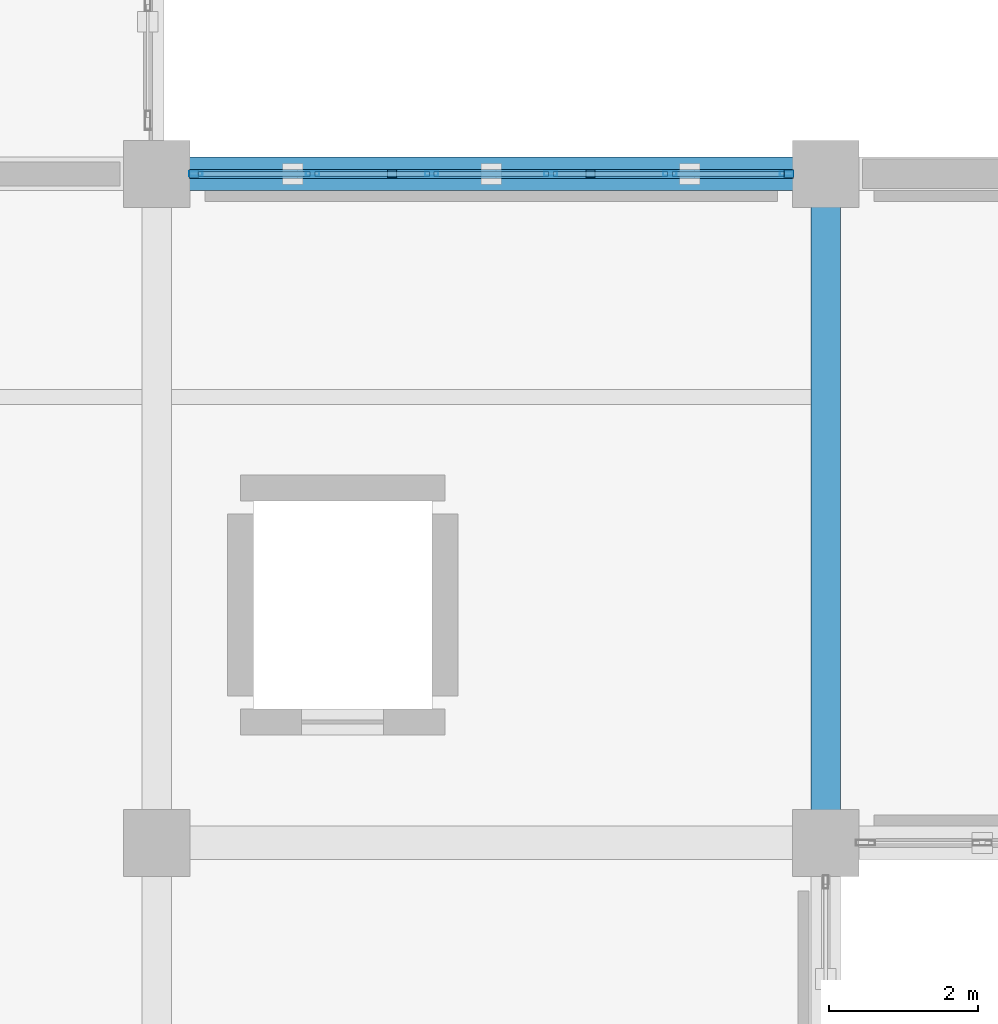
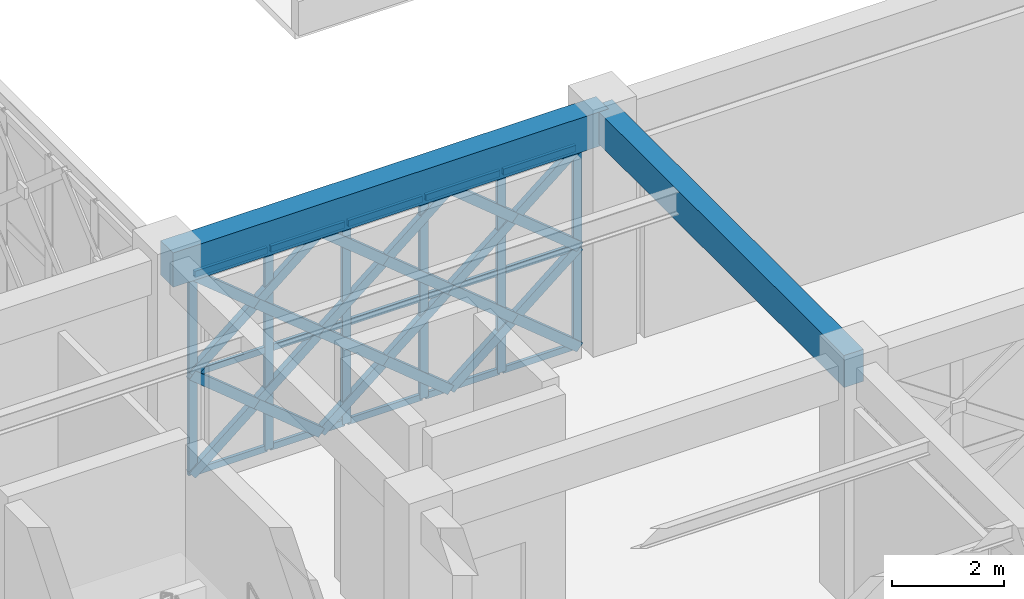
# One storey, part 103 of 166: 39 members, 2 beams, 1 element without a shape of its own.
"""IFC4 building model written with IfcOpenShell, lengths in metres."""

from ifc_helpers import new_model, si_unit, direction, frame, origin, origin_2d, place, context, subcontext, project, spatial, rectangle, hollow_rectangle, extrude, material, material_profile, profile_set, type_object, element, aggregate, save


model = new_model("IFC4")

# Units and contexts
model_context = context("Model", 3, precision=1e-05, world=origin(), true_north=direction((0.0, 1.0)))
body_context = subcontext(model_context, "Body", "Model", "MODEL_VIEW")
ifc_project = project(units=[si_unit("LENGTHUNIT", "METRE"), si_unit("AREAUNIT", "SQUARE_METRE"), si_unit("VOLUMEUNIT", "CUBIC_METRE"), si_unit("PLANEANGLEUNIT", "RADIAN"), si_unit("MASSUNIT", "GRAM", prefix="KILO")], contexts=[model_context])

# Site, building, storey
site_placement = place(None, origin())
site = spatial("IfcSite", under=ifc_project, at=site_placement, CompositionType="ELEMENT")
building_placement = place(site_placement, origin())
building = spatial("IfcBuilding", under=site, at=building_placement, Name="Haizhuo Lancet Aquarium", CompositionType="ELEMENT")
storey_placement = place(building_placement, frame((0.0, 0.0, 5.39990234375)))
storey = spatial("IfcBuildingStorey", under=building, at=storey_placement, Name="L01", CompositionType="ELEMENT", Elevation=5.39990234375)

# Beams
ifc_material_1 = material(Name="Concrete C40/50", Category="concrete")
ifc_material_profile_1 = material_profile(ifc_material_1, rectangle(XDim=0.39990234375, YDim=0.699951171875, at=origin_2d()), Name="RC-BM 400x700")
ifc_profile_set_1 = profile_set([ifc_material_profile_1], Name="Concrete C40/50")
beam_type_1 = type_object("IfcBeamType", Name="BM-RC-400x700", PredefinedType="BEAM", material=ifc_profile_set_1)
beam_1_placement = place(storey_placement, frame((72.0, -18.0, 4.7900390625), z_axis=(0.0, 1.0, 0.0), x_axis=(-1.0, 0.0, 0.0)))
element("IfcBeam", 1, at=beam_1_placement, inside=storey, type_object=beam_type_1, Name="L01 V3 primary girder BM-L01-V3-028", PredefinedType="BEAM", context=body_context, shape_type="SweptSolid", body=[
    extrude(rectangle(XDim=0.39990234375, YDim=0.699951171875, at=origin_2d()), origin(), (0.0, 0.0, 1.0), 9.0),
])
ifc_material_profile_2 = material_profile(ifc_material_1, rectangle(XDim=0.449951171875, YDim=0.75, at=origin_2d()), Name="RC-BM 450x750")
ifc_profile_set_2 = profile_set([ifc_material_profile_2], Name="Concrete C40/50")
beam_type_2 = type_object("IfcBeamType", Name="BM-RC-450x750", PredefinedType="BEAM", material=ifc_profile_set_2)
beam_2_placement = place(storey_placement, frame((63.0, -9.0, 4.76513671875), z_axis=(1.0, 0.0, 0.0), x_axis=(0.0, 1.0, 0.0)))
element("IfcBeam", 2, at=beam_2_placement, inside=storey, type_object=beam_type_2, Name="L01 V3 primary girder BM-L01-V3-026", PredefinedType="BEAM", context=body_context, shape_type="SweptSolid", body=[
    extrude(rectangle(XDim=0.449951171875, YDim=0.75, at=origin_2d()), origin(), (0.0, 0.0, 1.0), 9.0),
])

# Curtain wall, members
ifc_material_2 = material(Name="Aluminium 6063-T6", Category="aluminium")
curtain_wall_type = type_object("IfcCurtainWallType", Name="CWO-8010x4390", PredefinedType="NOTDEFINED", material=ifc_material_2)
curtain_wall_placement = place(storey_placement, origin())
curtain_wall = element("IfcCurtainWall", 3, at=curtain_wall_placement, inside=storey, type_object=curtain_wall_type, Name="L01 curtain wall CW-V3-L01-040", PredefinedType="NOTDEFINED")
ifc_material_profile_3 = material_profile(ifc_material_2, hollow_rectangle(XDim=0.06494140625, YDim=0.179931640625, WallThickness=0.00390625, at=origin_2d()), Name="ALU-M 65x180x4")
ifc_profile_set_3 = profile_set([ifc_material_profile_3], Name="Aluminium 6063-T6")
member_type_1 = type_object("IfcMemberType", Name="CW-MUL-1", PredefinedType="MULLION", material=ifc_profile_set_3)
member_1_placement = place(storey_placement, frame((63.527099609375, -9.0, 0.0), z_axis=(0.0, 0.0, 1.0), x_axis=(0.0, 1.0, 0.0)))
member_1 = element("IfcMember", 4, at=member_1_placement, type_object=member_type_1, Name="CWO-80x43 mullion 1", PredefinedType="MULLION", context=body_context, shape_type="SweptSolid", body=[
    extrude(hollow_rectangle(XDim=0.06494140625, YDim=0.179931640625, WallThickness=0.00390625, at=origin_2d()), origin(), (0.0, 0.0, 1.0), 4.39013671875),
])
member_2_placement = place(storey_placement, frame((65.096923828125, -9.0, 0.0), z_axis=(0.0, 0.0, 1.0), x_axis=(0.0, 1.0, 0.0)))
member_2 = element("IfcMember", 5, at=member_2_placement, type_object=member_type_1, Name="CWO-80x43 mullion 2", PredefinedType="MULLION", context=body_context, shape_type="SweptSolid", body=[
    extrude(hollow_rectangle(XDim=0.06494140625, YDim=0.179931640625, WallThickness=0.00390625, at=origin_2d()), origin(), (0.0, 0.0, 1.0), 4.39013671875),
])
member_3_placement = place(storey_placement, frame((66.698974609375, -9.0, 0.0), z_axis=(0.0, 0.0, 1.0), x_axis=(0.0, 1.0, 0.0)))
member_3 = element("IfcMember", 6, at=member_3_placement, type_object=member_type_1, Name="CWO-80x43 mullion 3", PredefinedType="MULLION", context=body_context, shape_type="SweptSolid", body=[
    extrude(hollow_rectangle(XDim=0.06494140625, YDim=0.179931640625, WallThickness=0.00390625, at=origin_2d()), origin(), (0.0, 0.0, 1.0), 4.39013671875),
])
member_4_placement = place(storey_placement, frame((68.301025390625, -9.0, 0.0), z_axis=(0.0, 0.0, 1.0), x_axis=(0.0, 1.0, 0.0)))
member_4 = element("IfcMember", 7, at=member_4_placement, type_object=member_type_1, Name="CWO-80x43 mullion 4", PredefinedType="MULLION", context=body_context, shape_type="SweptSolid", body=[
    extrude(hollow_rectangle(XDim=0.06494140625, YDim=0.179931640625, WallThickness=0.00390625, at=origin_2d()), origin(), (0.0, 0.0, 1.0), 4.39013671875),
])
member_5_placement = place(storey_placement, frame((69.903076171875, -9.0, 0.0), z_axis=(0.0, 0.0, 1.0), x_axis=(0.0, 1.0, 0.0)))
member_5 = element("IfcMember", 8, at=member_5_placement, type_object=member_type_1, Name="CWO-80x43 mullion 5", PredefinedType="MULLION", context=body_context, shape_type="SweptSolid", body=[
    extrude(hollow_rectangle(XDim=0.06494140625, YDim=0.179931640625, WallThickness=0.00390625, at=origin_2d()), origin(), (0.0, 0.0, 1.0), 4.39013671875),
])
member_6_placement = place(storey_placement, frame((71.471923828125, -9.0, 0.0), z_axis=(0.0, 0.0, 1.0), x_axis=(0.0, 1.0, 0.0)))
member_6 = element("IfcMember", 9, at=member_6_placement, type_object=member_type_1, Name="CWO-80x43 mullion 6", PredefinedType="MULLION", context=body_context, shape_type="SweptSolid", body=[
    extrude(hollow_rectangle(XDim=0.06494140625, YDim=0.179931640625, WallThickness=0.00390625, at=origin_2d()), origin(), (0.0, 0.0, 1.0), 4.39013671875),
])
ifc_material_profile_4 = material_profile(ifc_material_2, hollow_rectangle(XDim=0.06494140625, YDim=0.139892578125, WallThickness=0.00390625, at=origin_2d()), Name="ALU-T 65x140x4")
ifc_profile_set_4 = profile_set([ifc_material_profile_4], Name="Aluminium 6063-T6")
member_type_2 = type_object("IfcMemberType", Name="CW-TRN-1", PredefinedType="NOTDEFINED", material=ifc_profile_set_4)
member_7_placement = place(storey_placement, frame((63.56005859375, -9.0, 0.033203125), z_axis=(1.0, 0.0, 0.0), x_axis=(0.0, 1.0, 0.0)))
member_7 = element("IfcMember", 10, at=member_7_placement, type_object=member_type_2, Name="CWO-80x43 transom 1.1", ObjectType="TRANSOM", PredefinedType="USERDEFINED", context=body_context, shape_type="SweptSolid", body=[
    extrude(hollow_rectangle(XDim=0.06494140625, YDim=0.139892578125, WallThickness=0.00390625, at=origin_2d()), origin(), (0.0, 0.0, 1.0), 1.50390625),
])
member_8_placement = place(storey_placement, frame((63.56005859375, -9.0, 2.195068359375), z_axis=(1.0, 0.0, 0.0), x_axis=(0.0, 1.0, 0.0)))
member_8 = element("IfcMember", 11, at=member_8_placement, type_object=member_type_2, Name="CWO-80x43 transom 1.2", ObjectType="TRANSOM", PredefinedType="USERDEFINED", context=body_context, shape_type="SweptSolid", body=[
    extrude(hollow_rectangle(XDim=0.06494140625, YDim=0.139892578125, WallThickness=0.00390625, at=origin_2d()), origin(), (0.0, 0.0, 1.0), 1.50390625),
])
member_9_placement = place(storey_placement, frame((63.56005859375, -9.0, 4.357177734375), z_axis=(1.0, 0.0, 0.0), x_axis=(0.0, 1.0, 0.0)))
member_9 = element("IfcMember", 12, at=member_9_placement, type_object=member_type_2, Name="CWO-80x43 transom 1.3", ObjectType="TRANSOM", PredefinedType="USERDEFINED", context=body_context, shape_type="SweptSolid", body=[
    extrude(hollow_rectangle(XDim=0.06494140625, YDim=0.139892578125, WallThickness=0.00390625, at=origin_2d()), origin(), (0.0, 0.0, 1.0), 1.50390625),
])
member_10_placement = place(storey_placement, frame((65.12890625, -9.0, 0.033203125), z_axis=(1.0, 0.0, 0.0), x_axis=(0.0, 1.0, 0.0)))
member_10 = element("IfcMember", 13, at=member_10_placement, type_object=member_type_2, Name="CWO-80x43 transom 2.1", ObjectType="TRANSOM", PredefinedType="USERDEFINED", context=body_context, shape_type="SweptSolid", body=[
    extrude(hollow_rectangle(XDim=0.06494140625, YDim=0.139892578125, WallThickness=0.00390625, at=origin_2d()), origin(), (0.0, 0.0, 1.0), 1.537109375),
])
member_11_placement = place(storey_placement, frame((65.12890625, -9.0, 2.195068359375), z_axis=(1.0, 0.0, 0.0), x_axis=(0.0, 1.0, 0.0)))
member_11 = element("IfcMember", 14, at=member_11_placement, type_object=member_type_2, Name="CWO-80x43 transom 2.2", ObjectType="TRANSOM", PredefinedType="USERDEFINED", context=body_context, shape_type="SweptSolid", body=[
    extrude(hollow_rectangle(XDim=0.06494140625, YDim=0.139892578125, WallThickness=0.00390625, at=origin_2d()), origin(), (0.0, 0.0, 1.0), 1.537109375),
])
member_12_placement = place(storey_placement, frame((65.12890625, -9.0, 4.357177734375), z_axis=(1.0, 0.0, 0.0), x_axis=(0.0, 1.0, 0.0)))
member_12 = element("IfcMember", 15, at=member_12_placement, type_object=member_type_2, Name="CWO-80x43 transom 2.3", ObjectType="TRANSOM", PredefinedType="USERDEFINED", context=body_context, shape_type="SweptSolid", body=[
    extrude(hollow_rectangle(XDim=0.06494140625, YDim=0.139892578125, WallThickness=0.00390625, at=origin_2d()), origin(), (0.0, 0.0, 1.0), 1.537109375),
])
member_13_placement = place(storey_placement, frame((66.73095703125, -9.0, 0.033203125), z_axis=(1.0, 0.0, 0.0), x_axis=(0.0, 1.0, 0.0)))
member_13 = element("IfcMember", 16, at=member_13_placement, type_object=member_type_2, Name="CWO-80x43 transom 3.1", ObjectType="TRANSOM", PredefinedType="USERDEFINED", context=body_context, shape_type="SweptSolid", body=[
    extrude(hollow_rectangle(XDim=0.06494140625, YDim=0.139892578125, WallThickness=0.00390625, at=origin_2d()), origin(), (0.0, 0.0, 1.0), 1.5380859375),
])
member_14_placement = place(storey_placement, frame((66.73095703125, -9.0, 2.195068359375), z_axis=(1.0, 0.0, 0.0), x_axis=(0.0, 1.0, 0.0)))
member_14 = element("IfcMember", 17, at=member_14_placement, type_object=member_type_2, Name="CWO-80x43 transom 3.2", ObjectType="TRANSOM", PredefinedType="USERDEFINED", context=body_context, shape_type="SweptSolid", body=[
    extrude(hollow_rectangle(XDim=0.06494140625, YDim=0.139892578125, WallThickness=0.00390625, at=origin_2d()), origin(), (0.0, 0.0, 1.0), 1.5380859375),
])
member_15_placement = place(storey_placement, frame((66.73095703125, -9.0, 4.357177734375), z_axis=(1.0, 0.0, 0.0), x_axis=(0.0, 1.0, 0.0)))
member_15 = element("IfcMember", 18, at=member_15_placement, type_object=member_type_2, Name="CWO-80x43 transom 3.3", ObjectType="TRANSOM", PredefinedType="USERDEFINED", context=body_context, shape_type="SweptSolid", body=[
    extrude(hollow_rectangle(XDim=0.06494140625, YDim=0.139892578125, WallThickness=0.00390625, at=origin_2d()), origin(), (0.0, 0.0, 1.0), 1.5380859375),
])
member_16_placement = place(storey_placement, frame((68.333984375, -9.0, 0.033203125), z_axis=(1.0, 0.0, 0.0), x_axis=(0.0, 1.0, 0.0)))
member_16 = element("IfcMember", 19, at=member_16_placement, type_object=member_type_2, Name="CWO-80x43 transom 4.1", ObjectType="TRANSOM", PredefinedType="USERDEFINED", context=body_context, shape_type="SweptSolid", body=[
    extrude(hollow_rectangle(XDim=0.06494140625, YDim=0.139892578125, WallThickness=0.00390625, at=origin_2d()), origin(), (0.0, 0.0, 1.0), 1.5361328125),
])
member_17_placement = place(storey_placement, frame((68.333984375, -9.0, 2.195068359375), z_axis=(1.0, 0.0, 0.0), x_axis=(0.0, 1.0, 0.0)))
member_17 = element("IfcMember", 20, at=member_17_placement, type_object=member_type_2, Name="CWO-80x43 transom 4.2", ObjectType="TRANSOM", PredefinedType="USERDEFINED", context=body_context, shape_type="SweptSolid", body=[
    extrude(hollow_rectangle(XDim=0.06494140625, YDim=0.139892578125, WallThickness=0.00390625, at=origin_2d()), origin(), (0.0, 0.0, 1.0), 1.5361328125),
])
member_18_placement = place(storey_placement, frame((68.333984375, -9.0, 4.357177734375), z_axis=(1.0, 0.0, 0.0), x_axis=(0.0, 1.0, 0.0)))
member_18 = element("IfcMember", 21, at=member_18_placement, type_object=member_type_2, Name="CWO-80x43 transom 4.3", ObjectType="TRANSOM", PredefinedType="USERDEFINED", context=body_context, shape_type="SweptSolid", body=[
    extrude(hollow_rectangle(XDim=0.06494140625, YDim=0.139892578125, WallThickness=0.00390625, at=origin_2d()), origin(), (0.0, 0.0, 1.0), 1.5361328125),
])
member_19_placement = place(storey_placement, frame((69.93505859375, -9.0, 0.033203125), z_axis=(1.0, 0.0, 0.0), x_axis=(0.0, 1.0, 0.0)))
member_19 = element("IfcMember", 22, at=member_19_placement, type_object=member_type_2, Name="CWO-80x43 transom 5.1", ObjectType="TRANSOM", PredefinedType="USERDEFINED", context=body_context, shape_type="SweptSolid", body=[
    extrude(hollow_rectangle(XDim=0.06494140625, YDim=0.139892578125, WallThickness=0.00390625, at=origin_2d()), origin(), (0.0, 0.0, 1.0), 1.5048828125),
])
member_20_placement = place(storey_placement, frame((69.93505859375, -9.0, 2.195068359375), z_axis=(1.0, 0.0, 0.0), x_axis=(0.0, 1.0, 0.0)))
member_20 = element("IfcMember", 23, at=member_20_placement, type_object=member_type_2, Name="CWO-80x43 transom 5.2", ObjectType="TRANSOM", PredefinedType="USERDEFINED", context=body_context, shape_type="SweptSolid", body=[
    extrude(hollow_rectangle(XDim=0.06494140625, YDim=0.139892578125, WallThickness=0.00390625, at=origin_2d()), origin(), (0.0, 0.0, 1.0), 1.5048828125),
])
member_21_placement = place(storey_placement, frame((69.93505859375, -9.0, 4.357177734375), z_axis=(1.0, 0.0, 0.0), x_axis=(0.0, 1.0, 0.0)))
member_21 = element("IfcMember", 24, at=member_21_placement, type_object=member_type_2, Name="CWO-80x43 transom 5.3", ObjectType="TRANSOM", PredefinedType="USERDEFINED", context=body_context, shape_type="SweptSolid", body=[
    extrude(hollow_rectangle(XDim=0.06494140625, YDim=0.139892578125, WallThickness=0.00390625, at=origin_2d()), origin(), (0.0, 0.0, 1.0), 1.5048828125),
])
aggregate(curtain_wall, [member_1, member_2, member_3, member_4, member_5, member_6, member_7, member_8, member_9, member_10, member_11, member_12, member_13, member_14, member_15, member_16, member_17, member_18, member_19, member_20, member_21])

# Members
ifc_material_3 = material(Name="Steel S355", Category="steel")
ifc_material_profile_5 = material_profile(ifc_material_3, hollow_rectangle(XDim=0.1201171875, YDim=0.199951171875, WallThickness=0.008056640625, at=origin_2d()), Name="RHS 120x200x8")
ifc_profile_set_5 = profile_set([ifc_material_profile_5], Name="Steel S355")
member_type_3 = type_object("IfcMemberType", Name="MEM-LB-RHS120x200", PredefinedType="BRACE", material=ifc_profile_set_5)
member_22_placement = place(storey_placement, frame((63.4951171875, -9.0, 0.0), z_axis=(0.772453976084, 0.0, 0.635070747895), x_axis=(0.0, 1.0, 0.0)))
element("IfcMember", 25, at=member_22_placement, inside=storey, type_object=member_type_3, Name="Gothic lancet continuous diagonal brace CW-V3-L01-040 1A", PredefinedType="BRACE", context=body_context, shape_type="SweptSolid", body=[
    extrude(hollow_rectangle(XDim=0.1201171875, YDim=0.199951171875, WallThickness=0.008056640625, at=origin_2d()), origin(), (0.0, 0.0, 1.0), 3.456298828125),
])
member_23_placement = place(storey_placement, frame((66.1650390625, -9.0, 0.0), z_axis=(-0.772280733977, 0.0, 0.635281408454), x_axis=(0.0, -1.0, 0.0)))
element("IfcMember", 26, at=member_23_placement, inside=storey, type_object=member_type_3, Name="Gothic lancet split diagonal brace CW-V3-L01-040 1B1", PredefinedType="BRACE", context=body_context, shape_type="SweptSolid", body=[
    extrude(hollow_rectangle(XDim=0.1201171875, YDim=0.199951171875, WallThickness=0.008056640625, at=origin_2d()), origin(), (0.0, 0.0, 1.0), 1.728515625),
])
member_24_placement = place(storey_placement, frame((64.830078125, -9.0, 1.09814453125), z_axis=(-0.772627238419, 0.0, 0.634859945541), x_axis=(0.0, -1.0, 0.0)))
element("IfcMember", 27, at=member_24_placement, inside=storey, type_object=member_type_3, Name="Gothic lancet split diagonal brace CW-V3-L01-040 1B2", PredefinedType="BRACE", context=body_context, shape_type="SweptSolid", body=[
    extrude(hollow_rectangle(XDim=0.1201171875, YDim=0.199951171875, WallThickness=0.008056640625, at=origin_2d()), origin(), (0.0, 0.0, 1.0), 1.727783203125),
])
member_25_placement = place(storey_placement, frame((63.4951171875, -9.0, 2.195068359375), z_axis=(0.772453976084, 0.0, 0.635070747895), x_axis=(0.0, 1.0, 0.0)))
element("IfcMember", 28, at=member_25_placement, inside=storey, type_object=member_type_3, Name="Gothic lancet continuous diagonal brace CW-V3-L01-040 2A", PredefinedType="BRACE", context=body_context, shape_type="SweptSolid", body=[
    extrude(hollow_rectangle(XDim=0.1201171875, YDim=0.199951171875, WallThickness=0.008056640625, at=origin_2d()), origin(), (0.0, 0.0, 1.0), 3.456298828125),
])
member_26_placement = place(storey_placement, frame((66.1650390625, -9.0, 2.195068359375), z_axis=(-0.772627238419, 0.0, 0.634859945541), x_axis=(0.0, -1.0, 0.0)))
element("IfcMember", 29, at=member_26_placement, inside=storey, type_object=member_type_3, Name="Gothic lancet split diagonal brace CW-V3-L01-040 2B1", PredefinedType="BRACE", context=body_context, shape_type="SweptSolid", body=[
    extrude(hollow_rectangle(XDim=0.1201171875, YDim=0.199951171875, WallThickness=0.008056640625, at=origin_2d()), origin(), (0.0, 0.0, 1.0), 1.727783203125),
])
member_27_placement = place(storey_placement, frame((64.830078125, -9.0, 3.2919921875), z_axis=(-0.772280733977, 0.0, 0.635281408454), x_axis=(0.0, -1.0, 0.0)))
element("IfcMember", 30, at=member_27_placement, inside=storey, type_object=member_type_3, Name="Gothic lancet split diagonal brace CW-V3-L01-040 2B2", PredefinedType="BRACE", context=body_context, shape_type="SweptSolid", body=[
    extrude(hollow_rectangle(XDim=0.1201171875, YDim=0.199951171875, WallThickness=0.008056640625, at=origin_2d()), origin(), (0.0, 0.0, 1.0), 1.728515625),
])
member_28_placement = place(storey_placement, frame((66.1650390625, -9.0, 0.0), z_axis=(0.772453976084, 0.0, 0.635070747895), x_axis=(0.0, 1.0, 0.0)))
element("IfcMember", 31, at=member_28_placement, inside=storey, type_object=member_type_3, Name="Gothic lancet continuous diagonal brace CW-V3-L01-040 3A", PredefinedType="BRACE", context=body_context, shape_type="SweptSolid", body=[
    extrude(hollow_rectangle(XDim=0.1201171875, YDim=0.199951171875, WallThickness=0.008056640625, at=origin_2d()), origin(), (0.0, 0.0, 1.0), 3.456298828125),
])
member_29_placement = place(storey_placement, frame((68.8349609375, -9.0, 0.0), z_axis=(-0.772280733977, 0.0, 0.635281408454), x_axis=(0.0, -1.0, 0.0)))
element("IfcMember", 32, at=member_29_placement, inside=storey, type_object=member_type_3, Name="Gothic lancet split diagonal brace CW-V3-L01-040 3B1", PredefinedType="BRACE", context=body_context, shape_type="SweptSolid", body=[
    extrude(hollow_rectangle(XDim=0.1201171875, YDim=0.199951171875, WallThickness=0.008056640625, at=origin_2d()), origin(), (0.0, 0.0, 1.0), 1.728515625),
])
member_30_placement = place(storey_placement, frame((67.5, -9.0, 1.09814453125), z_axis=(-0.772627238419, 0.0, 0.634859945541), x_axis=(0.0, -1.0, 0.0)))
element("IfcMember", 33, at=member_30_placement, inside=storey, type_object=member_type_3, Name="Gothic lancet split diagonal brace CW-V3-L01-040 3B2", PredefinedType="BRACE", context=body_context, shape_type="SweptSolid", body=[
    extrude(hollow_rectangle(XDim=0.1201171875, YDim=0.199951171875, WallThickness=0.008056640625, at=origin_2d()), origin(), (0.0, 0.0, 1.0), 1.727783203125),
])
member_31_placement = place(storey_placement, frame((66.1650390625, -9.0, 2.195068359375), z_axis=(0.772453976084, 0.0, 0.635070747895), x_axis=(0.0, 1.0, 0.0)))
element("IfcMember", 34, at=member_31_placement, inside=storey, type_object=member_type_3, Name="Gothic lancet continuous diagonal brace CW-V3-L01-040 4A", PredefinedType="BRACE", context=body_context, shape_type="SweptSolid", body=[
    extrude(hollow_rectangle(XDim=0.1201171875, YDim=0.199951171875, WallThickness=0.008056640625, at=origin_2d()), origin(), (0.0, 0.0, 1.0), 3.456298828125),
])
member_32_placement = place(storey_placement, frame((68.8349609375, -9.0, 2.195068359375), z_axis=(-0.772627238419, 0.0, 0.634859945541), x_axis=(0.0, -1.0, 0.0)))
element("IfcMember", 35, at=member_32_placement, inside=storey, type_object=member_type_3, Name="Gothic lancet split diagonal brace CW-V3-L01-040 4B1", PredefinedType="BRACE", context=body_context, shape_type="SweptSolid", body=[
    extrude(hollow_rectangle(XDim=0.1201171875, YDim=0.199951171875, WallThickness=0.008056640625, at=origin_2d()), origin(), (0.0, 0.0, 1.0), 1.727783203125),
])
member_33_placement = place(storey_placement, frame((67.5, -9.0, 3.2919921875), z_axis=(-0.772280733977, 0.0, 0.635281408454), x_axis=(0.0, -1.0, 0.0)))
element("IfcMember", 36, at=member_33_placement, inside=storey, type_object=member_type_3, Name="Gothic lancet split diagonal brace CW-V3-L01-040 4B2", PredefinedType="BRACE", context=body_context, shape_type="SweptSolid", body=[
    extrude(hollow_rectangle(XDim=0.1201171875, YDim=0.199951171875, WallThickness=0.008056640625, at=origin_2d()), origin(), (0.0, 0.0, 1.0), 1.728515625),
])
member_34_placement = place(storey_placement, frame((68.8349609375, -9.0, 0.0), z_axis=(0.772453976084, 0.0, 0.635070747895), x_axis=(0.0, 1.0, 0.0)))
element("IfcMember", 37, at=member_34_placement, inside=storey, type_object=member_type_3, Name="Gothic lancet continuous diagonal brace CW-V3-L01-040 5A", PredefinedType="BRACE", context=body_context, shape_type="SweptSolid", body=[
    extrude(hollow_rectangle(XDim=0.1201171875, YDim=0.199951171875, WallThickness=0.008056640625, at=origin_2d()), origin(), (0.0, 0.0, 1.0), 3.456298828125),
])
member_35_placement = place(storey_placement, frame((71.5048828125, -9.0, 0.0), z_axis=(-0.772280733977, 0.0, 0.635281408454), x_axis=(0.0, -1.0, 0.0)))
element("IfcMember", 38, at=member_35_placement, inside=storey, type_object=member_type_3, Name="Gothic lancet split diagonal brace CW-V3-L01-040 5B1", PredefinedType="BRACE", context=body_context, shape_type="SweptSolid", body=[
    extrude(hollow_rectangle(XDim=0.1201171875, YDim=0.199951171875, WallThickness=0.008056640625, at=origin_2d()), origin(), (0.0, 0.0, 1.0), 1.728515625),
])
member_36_placement = place(storey_placement, frame((70.169921875, -9.0, 1.09814453125), z_axis=(-0.772627238419, 0.0, 0.634859945541), x_axis=(0.0, -1.0, 0.0)))
element("IfcMember", 39, at=member_36_placement, inside=storey, type_object=member_type_3, Name="Gothic lancet split diagonal brace CW-V3-L01-040 5B2", PredefinedType="BRACE", context=body_context, shape_type="SweptSolid", body=[
    extrude(hollow_rectangle(XDim=0.1201171875, YDim=0.199951171875, WallThickness=0.008056640625, at=origin_2d()), origin(), (0.0, 0.0, 1.0), 1.727783203125),
])
member_37_placement = place(storey_placement, frame((68.8349609375, -9.0, 2.195068359375), z_axis=(0.772453976084, 0.0, 0.635070747895), x_axis=(0.0, 1.0, 0.0)))
element("IfcMember", 40, at=member_37_placement, inside=storey, type_object=member_type_3, Name="Gothic lancet continuous diagonal brace CW-V3-L01-040 6A", PredefinedType="BRACE", context=body_context, shape_type="SweptSolid", body=[
    extrude(hollow_rectangle(XDim=0.1201171875, YDim=0.199951171875, WallThickness=0.008056640625, at=origin_2d()), origin(), (0.0, 0.0, 1.0), 3.456298828125),
])
member_38_placement = place(storey_placement, frame((71.5048828125, -9.0, 2.195068359375), z_axis=(-0.772627238419, 0.0, 0.634859945541), x_axis=(0.0, -1.0, 0.0)))
element("IfcMember", 41, at=member_38_placement, inside=storey, type_object=member_type_3, Name="Gothic lancet split diagonal brace CW-V3-L01-040 6B1", PredefinedType="BRACE", context=body_context, shape_type="SweptSolid", body=[
    extrude(hollow_rectangle(XDim=0.1201171875, YDim=0.199951171875, WallThickness=0.008056640625, at=origin_2d()), origin(), (0.0, 0.0, 1.0), 1.727783203125),
])
member_39_placement = place(storey_placement, frame((70.169921875, -9.0, 3.2919921875), z_axis=(-0.772280733977, 0.0, 0.635281408454), x_axis=(0.0, -1.0, 0.0)))
element("IfcMember", 42, at=member_39_placement, inside=storey, type_object=member_type_3, Name="Gothic lancet split diagonal brace CW-V3-L01-040 6B2", PredefinedType="BRACE", context=body_context, shape_type="SweptSolid", body=[
    extrude(hollow_rectangle(XDim=0.1201171875, YDim=0.199951171875, WallThickness=0.008056640625, at=origin_2d()), origin(), (0.0, 0.0, 1.0), 1.728515625),
])

save(model, "model.ifc")
